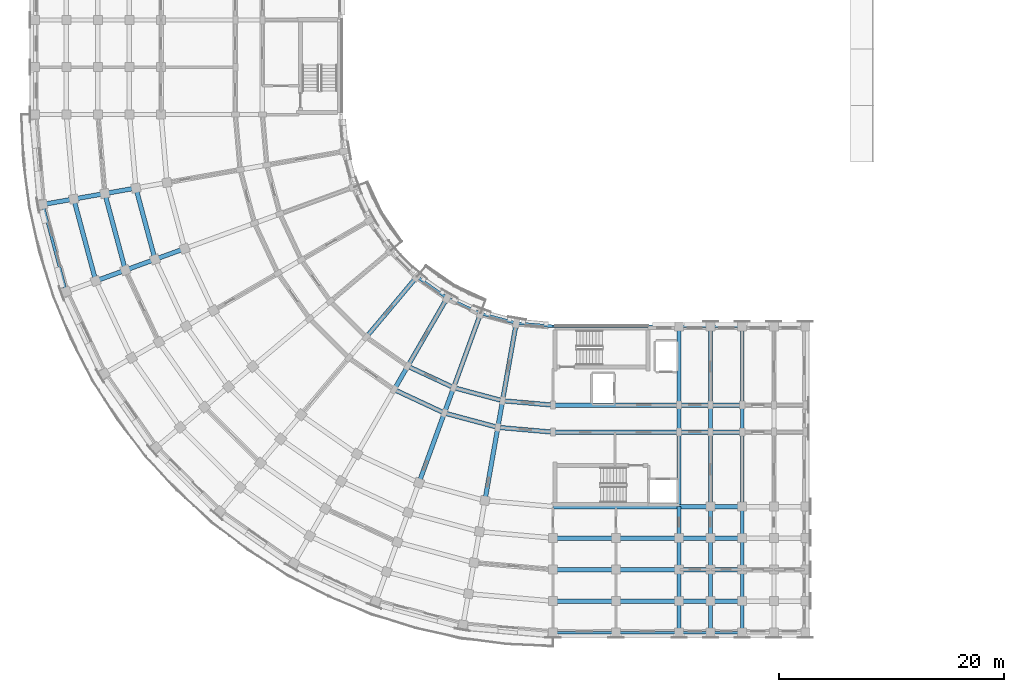
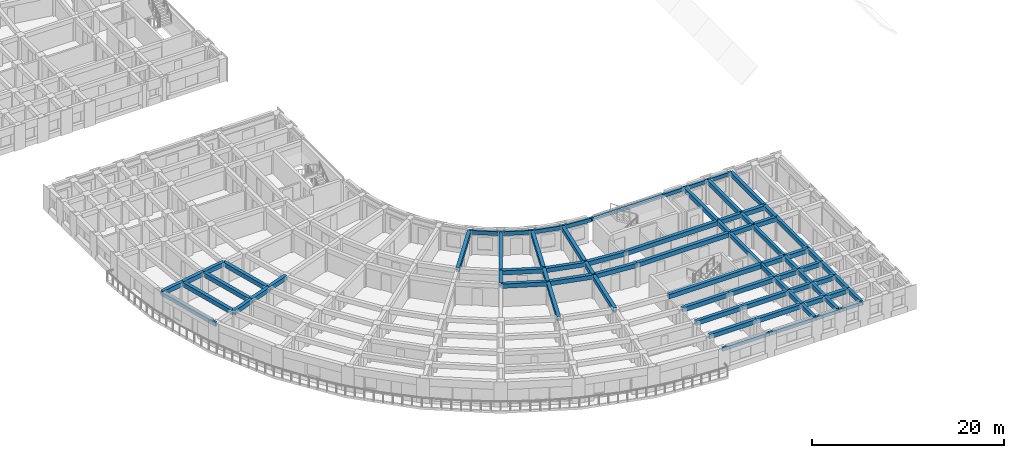
# One storey, part 4 of 54: 78 beams.
"""IFC4 building model written with IfcOpenShell, lengths in metres."""

from ifc_helpers import new_model, si_unit, direction, frame, origin, origin_2d, place, context, subcontext, project, spatial, rectangle, extrude, material, material_profile, profile_set, type_object, element, save


model = new_model("IFC4")

# Units and contexts
model_context = context("Model", 3, precision=1e-05, world=origin(), true_north=direction((0.0, 1.0)))
body_context = subcontext(model_context, "Body", "Model", "MODEL_VIEW")
ifc_project = project(units=[si_unit("LENGTHUNIT", "METRE"), si_unit("AREAUNIT", "SQUARE_METRE"), si_unit("VOLUMEUNIT", "CUBIC_METRE"), si_unit("PLANEANGLEUNIT", "RADIAN"), si_unit("MASSUNIT", "GRAM", prefix="KILO")], contexts=[model_context])

# Site, building, storey
site_placement = place(None, origin())
site = spatial("IfcSite", under=ifc_project, at=site_placement, CompositionType="ELEMENT")
building_placement = place(site_placement, origin())
building = spatial("IfcBuilding", under=site, at=building_placement, Name="Kiranvali Square Residences", CompositionType="ELEMENT")
storey_placement = place(building_placement, frame((0.0, 0.0, 11.85009765625)))
storey = spatial("IfcBuildingStorey", under=building, at=storey_placement, Name="L03", CompositionType="ELEMENT", Elevation=11.85009765625)

# Beams
ifc_material_1 = material(Name="Concrete M40 (40 MPa)", Category="concrete")
ifc_material_profile_1 = material_profile(ifc_material_1, rectangle(XDim=0.35009765625, YDim=0.550048828125, at=origin_2d()), Name="RC 350x550")
ifc_profile_set_1 = profile_set([ifc_material_profile_1], Name="Concrete M40 (40 MPa)")
beam_type_1 = type_object("IfcBeamType", Name="BM-M40-350x550", PredefinedType="BEAM", material=ifc_profile_set_1)
beam_1_placement = place(storey_placement, frame((59.39990234375, 29.39990234375, 2.65478515625), z_axis=(0.0, -1.0, 0.0), x_axis=(1.0, 0.0, 0.0)))
element("IfcBeam", 1, at=beam_1_placement, inside=storey, type_object=beam_type_1, Name="L03 beam BM-C-L03-A1T1-01", PredefinedType="BEAM", context=body_context, shape_type="SweptSolid", body=[
    extrude(rectangle(XDim=0.35009765625, YDim=0.550048828125, at=origin_2d()), origin(), (0.0, 0.0, 1.0), 7.0),
])
beam_2_placement = place(storey_placement, frame((59.39990234375, 22.39990234375, 2.65478515625), z_axis=(0.0, -1.0, 0.0), x_axis=(1.0, 0.0, 0.0)))
element("IfcBeam", 2, at=beam_2_placement, inside=storey, type_object=beam_type_1, Name="L03 beam BM-C-L03-A1T1-12", PredefinedType="BEAM", context=body_context, shape_type="SweptSolid", body=[
    extrude(rectangle(XDim=0.35009765625, YDim=0.550048828125, at=origin_2d()), origin(), (0.0, 0.0, 1.0), 2.39990234375),
])
beam_3_placement = place(storey_placement, frame((59.39990234375, 20.0, 2.65478515625), z_axis=(0.0, -1.0, 0.0), x_axis=(1.0, 0.0, 0.0)))
element("IfcBeam", 3, at=beam_3_placement, inside=storey, type_object=beam_type_1, Name="L03 beam BM-C-L03-A1T1-23", PredefinedType="BEAM", context=body_context, shape_type="SweptSolid", body=[
    extrude(rectangle(XDim=0.35009765625, YDim=0.550048828125, at=origin_2d()), origin(), (0.0, 0.0, 1.0), 6.60009765625),
])
beam_4_placement = place(storey_placement, frame((59.39990234375, 13.39990234375, 2.65478515625), z_axis=(0.0, -1.0, 0.0), x_axis=(1.0, 0.0, 0.0)))
element("IfcBeam", 4, at=beam_4_placement, inside=storey, type_object=beam_type_1, Name="L03 beam BM-C-L03-A1T1-34", PredefinedType="BEAM", context=body_context, shape_type="SweptSolid", body=[
    extrude(rectangle(XDim=0.35009765625, YDim=0.550048828125, at=origin_2d()), origin(), (0.0, 0.0, 1.0), 2.7998046875),
])
for number, where, z_axis, x_axis, name in (
    (5, (59.39990234375, 10.60009765625, 2.65478515625), (0.0, -1.0, 0.0), (1.0, 0.0, 0.0), "L03 beam BM-C-L03-A1T1-45"),
    (6, (59.39990234375, 7.800048828125, 2.65478515625), (0.0, -1.0, 0.0), (1.0, 0.0, 0.0), "L03 beam BM-C-L03-A1T1-56"),
    (7, (59.39990234375, 5.0, 2.65478515625), (0.0, -1.0, 0.0), (1.0, 0.0, 0.0), "L03 beam BM-C-L03-A1T1-67"),
):
    element("IfcBeam", number, at=place(storey_placement, frame(where, z_axis=z_axis, x_axis=x_axis)), inside=storey, type_object=beam_type_1, Name=name, PredefinedType="BEAM", context=body_context, shape_type="SweptSolid", body=[
        extrude(rectangle(XDim=0.35009765625, YDim=0.550048828125, at=origin_2d()), origin(), (0.0, 0.0, 1.0), 2.800048828125),
    ])
beam_5_placement = place(storey_placement, frame((62.199951171875, 29.39990234375, 2.65478515625), z_axis=(0.0, -1.0, 0.0), x_axis=(1.0, 0.0, 0.0)))
element("IfcBeam", 8, at=beam_5_placement, inside=storey, type_object=beam_type_1, Name="L03 beam BM-C-L03-A1T2-01", PredefinedType="BEAM", context=body_context, shape_type="SweptSolid", body=[
    extrude(rectangle(XDim=0.35009765625, YDim=0.550048828125, at=origin_2d()), origin(), (0.0, 0.0, 1.0), 7.0),
])
beam_6_placement = place(storey_placement, frame((62.199951171875, 22.39990234375, 2.65478515625), z_axis=(0.0, -1.0, 0.0), x_axis=(1.0, 0.0, 0.0)))
element("IfcBeam", 9, at=beam_6_placement, inside=storey, type_object=beam_type_1, Name="L03 beam BM-C-L03-A1T2-12", PredefinedType="BEAM", context=body_context, shape_type="SweptSolid", body=[
    extrude(rectangle(XDim=0.35009765625, YDim=0.550048828125, at=origin_2d()), origin(), (0.0, 0.0, 1.0), 2.39990234375),
])
beam_7_placement = place(storey_placement, frame((62.199951171875, 20.0, 2.65478515625), z_axis=(0.0, -1.0, 0.0), x_axis=(1.0, 0.0, 0.0)))
element("IfcBeam", 10, at=beam_7_placement, inside=storey, type_object=beam_type_1, Name="L03 beam BM-C-L03-A1T2-23", PredefinedType="BEAM", context=body_context, shape_type="SweptSolid", body=[
    extrude(rectangle(XDim=0.35009765625, YDim=0.550048828125, at=origin_2d()), origin(), (0.0, 0.0, 1.0), 6.60009765625),
])
beam_8_placement = place(storey_placement, frame((62.199951171875, 13.39990234375, 2.65478515625), z_axis=(0.0, -1.0, 0.0), x_axis=(1.0, 0.0, 0.0)))
element("IfcBeam", 11, at=beam_8_placement, inside=storey, type_object=beam_type_1, Name="L03 beam BM-C-L03-A1T2-34", PredefinedType="BEAM", context=body_context, shape_type="SweptSolid", body=[
    extrude(rectangle(XDim=0.35009765625, YDim=0.550048828125, at=origin_2d()), origin(), (0.0, 0.0, 1.0), 2.7998046875),
])
for number, where, z_axis, x_axis, name in (
    (12, (62.199951171875, 10.60009765625, 2.65478515625), (0.0, -1.0, 0.0), (1.0, 0.0, 0.0), "L03 beam BM-C-L03-A1T2-45"),
    (13, (62.199951171875, 7.800048828125, 2.65478515625), (0.0, -1.0, 0.0), (1.0, 0.0, 0.0), "L03 beam BM-C-L03-A1T2-56"),
    (14, (62.199951171875, 5.0, 2.65478515625), (0.0, -1.0, 0.0), (1.0, 0.0, 0.0), "L03 beam BM-C-L03-A1T2-67"),
):
    element("IfcBeam", number, at=place(storey_placement, frame(where, z_axis=z_axis, x_axis=x_axis)), inside=storey, type_object=beam_type_1, Name=name, PredefinedType="BEAM", context=body_context, shape_type="SweptSolid", body=[
        extrude(rectangle(XDim=0.35009765625, YDim=0.550048828125, at=origin_2d()), origin(), (0.0, 0.0, 1.0), 2.800048828125),
    ])
beam_9_placement = place(storey_placement, frame((65.0, 29.39990234375, 2.65478515625), z_axis=(0.0, -1.0, 0.0), x_axis=(1.0, 0.0, 0.0)))
element("IfcBeam", 15, at=beam_9_placement, inside=storey, type_object=beam_type_1, Name="L03 beam BM-C-L03-A1T3-01", PredefinedType="BEAM", context=body_context, shape_type="SweptSolid", body=[
    extrude(rectangle(XDim=0.35009765625, YDim=0.550048828125, at=origin_2d()), origin(), (0.0, 0.0, 1.0), 7.0),
])
beam_10_placement = place(storey_placement, frame((65.0, 22.39990234375, 2.65478515625), z_axis=(0.0, -1.0, 0.0), x_axis=(1.0, 0.0, 0.0)))
element("IfcBeam", 16, at=beam_10_placement, inside=storey, type_object=beam_type_1, Name="L03 beam BM-C-L03-A1T3-12", PredefinedType="BEAM", context=body_context, shape_type="SweptSolid", body=[
    extrude(rectangle(XDim=0.35009765625, YDim=0.550048828125, at=origin_2d()), origin(), (0.0, 0.0, 1.0), 2.39990234375),
])
beam_11_placement = place(storey_placement, frame((65.0, 20.0, 2.65478515625), z_axis=(0.0, -1.0, 0.0), x_axis=(1.0, 0.0, 0.0)))
element("IfcBeam", 17, at=beam_11_placement, inside=storey, type_object=beam_type_1, Name="L03 beam BM-C-L03-A1T3-23", PredefinedType="BEAM", context=body_context, shape_type="SweptSolid", body=[
    extrude(rectangle(XDim=0.35009765625, YDim=0.550048828125, at=origin_2d()), origin(), (0.0, 0.0, 1.0), 6.60009765625),
])
beam_12_placement = place(storey_placement, frame((65.0, 13.39990234375, 2.65478515625), z_axis=(0.0, -1.0, 0.0), x_axis=(1.0, 0.0, 0.0)))
element("IfcBeam", 18, at=beam_12_placement, inside=storey, type_object=beam_type_1, Name="L03 beam BM-C-L03-A1T3-34", PredefinedType="BEAM", context=body_context, shape_type="SweptSolid", body=[
    extrude(rectangle(XDim=0.35009765625, YDim=0.550048828125, at=origin_2d()), origin(), (0.0, 0.0, 1.0), 2.7998046875),
])
for number, where, z_axis, x_axis, name in (
    (19, (65.0, 10.60009765625, 2.65478515625), (0.0, -1.0, 0.0), (1.0, 0.0, 0.0), "L03 beam BM-C-L03-A1T3-45"),
    (20, (65.0, 7.800048828125, 2.65478515625), (0.0, -1.0, 0.0), (1.0, 0.0, 0.0), "L03 beam BM-C-L03-A1T3-56"),
    (21, (65.0, 5.0, 2.65478515625), (0.0, -1.0, 0.0), (1.0, 0.0, 0.0), "L03 beam BM-C-L03-A1T3-67"),
):
    element("IfcBeam", number, at=place(storey_placement, frame(where, z_axis=z_axis, x_axis=x_axis)), inside=storey, type_object=beam_type_1, Name=name, PredefinedType="BEAM", context=body_context, shape_type="SweptSolid", body=[
        extrude(rectangle(XDim=0.35009765625, YDim=0.550048828125, at=origin_2d()), origin(), (0.0, 0.0, 1.0), 2.800048828125),
    ])
ifc_material_2 = material(Name="Concrete M45 (45 MPa)", Category="concrete")
ifc_material_profile_2 = material_profile(ifc_material_2, rectangle(XDim=0.39990234375, YDim=0.550048828125, at=origin_2d()), Name="RC 400x550")
ifc_profile_set_2 = profile_set([ifc_material_profile_2], Name="Concrete M45 (45 MPa)")
beam_type_2 = type_object("IfcBeamType", Name="BM-M45-400x550", PredefinedType="BEAM", material=ifc_profile_set_2)
beam_13_placement = place(storey_placement, frame((48.199951171875, 22.39990234375, 2.65478515625), z_axis=(-0.996191949488, 0.087187153726, 0.0), x_axis=(-0.087187153726, -0.996191949488, 0.0)))
element("IfcBeam", 22, at=beam_13_placement, inside=storey, type_object=beam_type_2, Name="L03 beam BM-C-L03-C00-R1", PredefinedType="BEAM", context=body_context, shape_type="SweptSolid", body=[
    extrude(rectangle(XDim=0.39990234375, YDim=0.550048828125, at=origin_2d()), origin(), (0.0, 0.0, 1.0), 4.4970703125),
])
beam_14_placement = place(storey_placement, frame((48.199951171875, 20.0, 2.65478515625), z_axis=(-0.996193663584, 0.087167566415, 0.0), x_axis=(-0.087167566415, -0.996193663584, 0.0)))
element("IfcBeam", 23, at=beam_14_placement, inside=storey, type_object=beam_type_2, Name="L03 beam BM-C-L03-C00-R2", PredefinedType="BEAM", context=body_context, shape_type="SweptSolid", body=[
    extrude(rectangle(XDim=0.39990234375, YDim=0.550048828125, at=origin_2d()), origin(), (0.0, 0.0, 1.0), 4.91552734375),
])
beam_15_placement = place(storey_placement, frame((43.719970703125, 22.7919921875, 2.65478515625), z_axis=(-0.965934240054, 0.258787642463, 0.0), x_axis=(-0.258787642463, -0.965934240054, 0.0)))
element("IfcBeam", 24, at=beam_15_placement, inside=storey, type_object=beam_type_2, Name="L03 beam BM-C-L03-C01-R1", PredefinedType="BEAM", context=body_context, shape_type="SweptSolid", body=[
    extrude(rectangle(XDim=0.39990234375, YDim=0.550048828125, at=origin_2d()), origin(), (0.0, 0.0, 1.0), 4.497314453125),
])
beam_16_placement = place(storey_placement, frame((43.30322265625, 20.428466796875, 2.65478515625), z_axis=(-0.965930095386, 0.258803112091, 0.0), x_axis=(-0.258803112091, -0.965930095386, 0.0)))
element("IfcBeam", 25, at=beam_16_placement, inside=storey, type_object=beam_type_2, Name="L03 beam BM-C-L03-C01-R2", PredefinedType="BEAM", context=body_context, shape_type="SweptSolid", body=[
    extrude(rectangle(XDim=0.39990234375, YDim=0.550048828125, at=origin_2d()), origin(), (0.0, 0.0, 1.0), 4.915771484375),
])
beam_17_placement = place(storey_placement, frame((39.3759765625, 23.955810546875, 2.65478515625), z_axis=(-0.906307919131, 0.422617978463, 0.0), x_axis=(-0.422617978463, -0.906307919131, 0.0)))
element("IfcBeam", 26, at=beam_17_placement, inside=storey, type_object=beam_type_2, Name="L03 beam BM-C-L03-C02-R1", PredefinedType="BEAM", context=body_context, shape_type="SweptSolid", body=[
    extrude(rectangle(XDim=0.39990234375, YDim=0.550048828125, at=origin_2d()), origin(), (0.0, 0.0, 1.0), 4.497314453125),
])
beam_18_placement = place(storey_placement, frame((38.554931640625, 21.70068359375, 2.65478515625), z_axis=(-0.906302381024, 0.422629854778, 0.0), x_axis=(-0.422629854778, -0.906302381024, 0.0)))
element("IfcBeam", 27, at=beam_18_placement, inside=storey, type_object=beam_type_2, Name="L03 beam BM-C-L03-C02-R2", PredefinedType="BEAM", context=body_context, shape_type="SweptSolid", body=[
    extrude(rectangle(XDim=0.39990234375, YDim=0.550048828125, at=origin_2d()), origin(), (0.0, 0.0, 1.0), 4.915283203125),
])
beam_19_placement = place(storey_placement, frame((12.86767578125, 35.340087890625, 2.65478515625), z_axis=(-0.258847178297, 0.965918287583, 0.0), x_axis=(-0.965918287583, -0.258847178297, 0.0)))
element("IfcBeam", 28, at=beam_19_placement, inside=storey, type_object=beam_type_2, Name="L03 beam BM-C-L03-C07-R4", PredefinedType="BEAM", context=body_context, shape_type="SweptSolid", body=[
    extrude(rectangle(XDim=0.39990234375, YDim=0.550048828125, at=origin_2d()), origin(), (0.0, 0.0, 1.0), 6.55419921875),
])
beam_20_placement = place(storey_placement, frame((10.236328125, 34.38232421875, 2.65478515625), z_axis=(-0.258799624492, 0.965931029817, 0.0), x_axis=(-0.965931029817, -0.258799624492, 0.0)))
element("IfcBeam", 29, at=beam_20_placement, inside=storey, type_object=beam_type_2, Name="L03 beam BM-C-L03-C07-R5", PredefinedType="BEAM", context=body_context, shape_type="SweptSolid", body=[
    extrude(rectangle(XDim=0.39990234375, YDim=0.550048828125, at=origin_2d()), origin(), (0.0, 0.0, 1.0), 7.042236328125),
])
beam_21_placement = place(storey_placement, frame((7.605224609375, 33.4248046875, 2.65478515625), z_axis=(-0.258818733833, 0.965925909693, 0.0), x_axis=(-0.965925909693, -0.258818733833, 0.0)))
element("IfcBeam", 30, at=beam_21_placement, inside=storey, type_object=beam_type_2, Name="L03 beam BM-C-L03-C07-R6", PredefinedType="BEAM", context=body_context, shape_type="SweptSolid", body=[
    extrude(rectangle(XDim=0.39990234375, YDim=0.550048828125, at=origin_2d()), origin(), (0.0, 0.0, 1.0), 7.5302734375),
])
beam_22_placement = place(storey_placement, frame((44.935302734375, 29.685546875, 2.65478515625), z_axis=(-0.173622177865, -0.984812337125, 0.0), x_axis=(0.984812337125, -0.173622177865, 0.0)))
element("IfcBeam", 31, at=beam_22_placement, inside=storey, type_object=beam_type_2, Name="L03 beam BM-C-L03-RAD01-01", PredefinedType="BEAM", context=body_context, shape_type="SweptSolid", body=[
    extrude(rectangle(XDim=0.39990234375, YDim=0.550048828125, at=origin_2d()), origin(), (0.0, 0.0, 1.0), 6.999755859375),
])
beam_23_placement = place(storey_placement, frame((43.719970703125, 22.7919921875, 2.65478515625), z_axis=(-0.173646056486, -0.984808127031, 0.0), x_axis=(0.984808127031, -0.173646056486, 0.0)))
element("IfcBeam", 32, at=beam_23_placement, inside=storey, type_object=beam_type_2, Name="L03 beam BM-C-L03-RAD01-12", PredefinedType="BEAM", context=body_context, shape_type="SweptSolid", body=[
    extrude(rectangle(XDim=0.39990234375, YDim=0.550048828125, at=origin_2d()), origin(), (0.0, 0.0, 1.0), 2.39990234375),
])
beam_24_placement = place(storey_placement, frame((43.30322265625, 20.428466796875, 2.65478515625), z_axis=(-0.173671381499, -0.984803661269, 0.0), x_axis=(0.984803661269, -0.173671381499, 0.0)))
element("IfcBeam", 33, at=beam_24_placement, inside=storey, type_object=beam_type_2, Name="L03 beam BM-C-L03-RAD01-23", PredefinedType="BEAM", context=body_context, shape_type="SweptSolid", body=[
    extrude(rectangle(XDim=0.39990234375, YDim=0.550048828125, at=origin_2d()), origin(), (0.0, 0.0, 1.0), 6.60009765625),
])
beam_25_placement = place(storey_placement, frame((41.77001953125, 30.53369140625, 2.65478515625), z_axis=(-0.342006283793, -0.939697665127, 0.0), x_axis=(0.939697665127, -0.342006283793, 0.0)))
element("IfcBeam", 34, at=beam_25_placement, inside=storey, type_object=beam_type_2, Name="L03 beam BM-C-L03-RAD02-01", PredefinedType="BEAM", context=body_context, shape_type="SweptSolid", body=[
    extrude(rectangle(XDim=0.39990234375, YDim=0.550048828125, at=origin_2d()), origin(), (0.0, 0.0, 1.0), 7.0),
])
beam_26_placement = place(storey_placement, frame((39.3759765625, 23.955810546875, 2.65478515625), z_axis=(-0.342110593602, -0.939659694648, 0.0), x_axis=(0.939659694648, -0.342110593602, 0.0)))
element("IfcBeam", 35, at=beam_26_placement, inside=storey, type_object=beam_type_2, Name="L03 beam BM-C-L03-RAD02-12", PredefinedType="BEAM", context=body_context, shape_type="SweptSolid", body=[
    extrude(rectangle(XDim=0.39990234375, YDim=0.550048828125, at=origin_2d()), origin(), (0.0, 0.0, 1.0), 2.39990234375),
])
beam_27_placement = place(storey_placement, frame((38.554931640625, 21.70068359375, 2.65478515625), z_axis=(-0.342022238372, -0.939691858249, 0.0), x_axis=(0.939691858249, -0.342022238372, 0.0)))
element("IfcBeam", 36, at=beam_27_placement, inside=storey, type_object=beam_type_2, Name="L03 beam BM-C-L03-RAD02-23", PredefinedType="BEAM", context=body_context, shape_type="SweptSolid", body=[
    extrude(rectangle(XDim=0.39990234375, YDim=0.550048828125, at=origin_2d()), origin(), (0.0, 0.0, 1.0), 6.599853515625),
])
beam_28_placement = place(storey_placement, frame((38.800048828125, 31.918701171875, 2.65478515625), z_axis=(-0.499995173006, -0.866028190633, 0.0), x_axis=(0.866028190633, -0.499995173006, 0.0)))
element("IfcBeam", 37, at=beam_28_placement, inside=storey, type_object=beam_type_2, Name="L03 beam BM-C-L03-RAD03-01", PredefinedType="BEAM", context=body_context, shape_type="SweptSolid", body=[
    extrude(rectangle(XDim=0.39990234375, YDim=0.550048828125, at=origin_2d()), origin(), (0.0, 0.0, 1.0), 7.0),
])
beam_29_placement = place(storey_placement, frame((35.300048828125, 25.8564453125, 2.65478515625), z_axis=(-0.500001309137, -0.866024647952, 0.0), x_axis=(0.866024647952, -0.500001309137, 0.0)))
element("IfcBeam", 38, at=beam_29_placement, inside=storey, type_object=beam_type_2, Name="L03 beam BM-C-L03-RAD03-12", PredefinedType="BEAM", context=body_context, shape_type="SweptSolid", body=[
    extrude(rectangle(XDim=0.39990234375, YDim=0.550048828125, at=origin_2d()), origin(), (0.0, 0.0, 1.0), 2.39990234375),
])
beam_30_placement = place(storey_placement, frame((36.115478515625, 33.79833984375, 2.65478515625), z_axis=(-0.642787931032, -0.766044173478, 0.0), x_axis=(0.766044173478, -0.642787931032, 0.0)))
element("IfcBeam", 39, at=beam_30_placement, inside=storey, type_object=beam_type_2, Name="L03 beam BM-C-L03-RAD04-01", PredefinedType="BEAM", context=body_context, shape_type="SweptSolid", body=[
    extrude(rectangle(XDim=0.39990234375, YDim=0.550048828125, at=origin_2d()), origin(), (0.0, 0.0, 1.0), 7.0),
])
beam_31_placement = place(storey_placement, frame((15.498779296875, 36.297607421875, 2.65478515625), z_axis=(-0.93970683422, -0.341981089711, 0.0), x_axis=(0.341981089711, -0.93970683422, 0.0)))
element("IfcBeam", 40, at=beam_31_placement, inside=storey, type_object=beam_type_2, Name="L03 beam BM-C-L03-RAD07-34", PredefinedType="BEAM", context=body_context, shape_type="SweptSolid", body=[
    extrude(rectangle(XDim=0.39990234375, YDim=0.550048828125, at=origin_2d()), origin(), (0.0, 0.0, 1.0), 2.7998046875),
])
beam_32_placement = place(storey_placement, frame((12.86767578125, 35.340087890625, 2.65478515625), z_axis=(-0.939689011208, -0.342030060398, 0.0), x_axis=(0.342030060398, -0.939689011208, 0.0)))
element("IfcBeam", 41, at=beam_32_placement, inside=storey, type_object=beam_type_2, Name="L03 beam BM-C-L03-RAD07-45", PredefinedType="BEAM", context=body_context, shape_type="SweptSolid", body=[
    extrude(rectangle(XDim=0.39990234375, YDim=0.550048828125, at=origin_2d()), origin(), (0.0, 0.0, 1.0), 2.80029296875),
])
for number, where, z_axis, x_axis, name in (
    (42, (10.236328125, 34.38232421875, 2.65478515625), (-0.93970683422, -0.341981089711, 0.0), (0.341981089711, -0.93970683422, 0.0), "L03 beam BM-C-L03-RAD07-56"),
    (43, (11.171142578125, 41.6708984375, 2.65478515625), (-0.984799355489, -0.173695795656, 0.0), (0.173695795656, -0.984799355489, 0.0), "L03 beam BM-C-L03-RAD08-45"),
):
    element("IfcBeam", number, at=place(storey_placement, frame(where, z_axis=z_axis, x_axis=x_axis)), inside=storey, type_object=beam_type_2, Name=name, PredefinedType="BEAM", context=body_context, shape_type="SweptSolid", body=[
        extrude(rectangle(XDim=0.39990234375, YDim=0.550048828125, at=origin_2d()), origin(), (0.0, 0.0, 1.0), 2.7998046875),
    ])
beam_33_placement = place(storey_placement, frame((8.413818359375, 41.1845703125, 2.65478515625), z_axis=(-0.984816895441, -0.173596320392, 0.0), x_axis=(0.173596320392, -0.984816895441, 0.0)))
element("IfcBeam", 44, at=beam_33_placement, inside=storey, type_object=beam_type_2, Name="L03 beam BM-C-L03-RAD08-56", PredefinedType="BEAM", context=body_context, shape_type="SweptSolid", body=[
    extrude(rectangle(XDim=0.39990234375, YDim=0.550048828125, at=origin_2d()), origin(), (0.0, 0.0, 1.0), 2.800048828125),
])
beam_34_placement = place(storey_placement, frame((5.65625, 40.698486328125, 2.65478515625), z_axis=(-0.984799355489, -0.173695795656, 0.0), x_axis=(0.173695795656, -0.984799355489, 0.0)))
element("IfcBeam", 45, at=beam_34_placement, inside=storey, type_object=beam_type_2, Name="L03 beam BM-C-L03-RAD08-67", PredefinedType="BEAM", context=body_context, shape_type="SweptSolid", body=[
    extrude(rectangle(XDim=0.39990234375, YDim=0.550048828125, at=origin_2d()), origin(), (0.0, 0.0, 1.0), 2.7998046875),
])
beam_35_placement = place(storey_placement, frame((48.199951171875, 22.39990234375, 2.65478515625), z_axis=(1.0, 0.0, 0.0), x_axis=(0.0, 1.0, 0.0)))
element("IfcBeam", 46, at=beam_35_placement, inside=storey, type_object=beam_type_2, Name="L03 beam BM-C-L03-A1U0-R1", PredefinedType="BEAM", context=body_context, shape_type="SweptSolid", body=[
    extrude(rectangle(XDim=0.39990234375, YDim=0.550048828125, at=origin_2d()), origin(), (0.0, 0.0, 1.0), 11.199951171875),
])
for number, where, z_axis, x_axis, name in (
    (47, (59.39990234375, 22.39990234375, 2.65478515625), (1.0, 0.0, 0.0), (0.0, 1.0, 0.0), "L03 beam BM-C-L03-A1U1-R1"),
    (48, (62.199951171875, 22.39990234375, 2.65478515625), (1.0, 0.0, 0.0), (0.0, 1.0, 0.0), "L03 beam BM-C-L03-A1U2-R1"),
):
    element("IfcBeam", number, at=place(storey_placement, frame(where, z_axis=z_axis, x_axis=x_axis)), inside=storey, type_object=beam_type_2, Name=name, PredefinedType="BEAM", context=body_context, shape_type="SweptSolid", body=[
        extrude(rectangle(XDim=0.39990234375, YDim=0.550048828125, at=origin_2d()), origin(), (0.0, 0.0, 1.0), 2.800048828125),
    ])
beam_36_placement = place(storey_placement, frame((48.199951171875, 20.0, 2.65478515625), z_axis=(1.0, 0.0, 0.0), x_axis=(0.0, 1.0, 0.0)))
element("IfcBeam", 49, at=beam_36_placement, inside=storey, type_object=beam_type_2, Name="L03 beam BM-C-L03-A1U0-R2", PredefinedType="BEAM", context=body_context, shape_type="SweptSolid", body=[
    extrude(rectangle(XDim=0.39990234375, YDim=0.550048828125, at=origin_2d()), origin(), (0.0, 0.0, 1.0), 11.199951171875),
])
for number, where, z_axis, x_axis, name in (
    (50, (59.39990234375, 20.0, 2.65478515625), (1.0, 0.0, 0.0), (0.0, 1.0, 0.0), "L03 beam BM-C-L03-A1U1-R2"),
    (51, (62.199951171875, 20.0, 2.65478515625), (1.0, 0.0, 0.0), (0.0, 1.0, 0.0), "L03 beam BM-C-L03-A1U2-R2"),
):
    element("IfcBeam", number, at=place(storey_placement, frame(where, z_axis=z_axis, x_axis=x_axis)), inside=storey, type_object=beam_type_2, Name=name, PredefinedType="BEAM", context=body_context, shape_type="SweptSolid", body=[
        extrude(rectangle(XDim=0.39990234375, YDim=0.550048828125, at=origin_2d()), origin(), (0.0, 0.0, 1.0), 2.800048828125),
    ])
beam_37_placement = place(storey_placement, frame((48.199951171875, 13.39990234375, 2.65478515625), z_axis=(1.0, 0.0, 0.0), x_axis=(0.0, 1.0, 0.0)))
element("IfcBeam", 52, at=beam_37_placement, inside=storey, type_object=beam_type_2, Name="L03 beam BM-C-L03-A1U0-R3", PredefinedType="BEAM", context=body_context, shape_type="SweptSolid", body=[
    extrude(rectangle(XDim=0.39990234375, YDim=0.550048828125, at=origin_2d()), origin(), (0.0, 0.0, 1.0), 11.199951171875),
])
for number, where, z_axis, x_axis, name in (
    (53, (59.39990234375, 13.39990234375, 2.65478515625), (1.0, 0.0, 0.0), (0.0, 1.0, 0.0), "L03 beam BM-C-L03-A1U1-R3"),
    (54, (62.199951171875, 13.39990234375, 2.65478515625), (1.0, 0.0, 0.0), (0.0, 1.0, 0.0), "L03 beam BM-C-L03-A1U2-R3"),
):
    element("IfcBeam", number, at=place(storey_placement, frame(where, z_axis=z_axis, x_axis=x_axis)), inside=storey, type_object=beam_type_2, Name=name, PredefinedType="BEAM", context=body_context, shape_type="SweptSolid", body=[
        extrude(rectangle(XDim=0.39990234375, YDim=0.550048828125, at=origin_2d()), origin(), (0.0, 0.0, 1.0), 2.800048828125),
    ])
beam_38_placement = place(storey_placement, frame((48.199951171875, 10.60009765625, 2.65478515625), z_axis=(1.0, 0.0, 0.0), x_axis=(0.0, 1.0, 0.0)))
element("IfcBeam", 55, at=beam_38_placement, inside=storey, type_object=beam_type_2, Name="L03 beam BM-C-L03-A1U0-R4", PredefinedType="BEAM", context=body_context, shape_type="SweptSolid", body=[
    extrude(rectangle(XDim=0.39990234375, YDim=0.550048828125, at=origin_2d()), origin(), (0.0, 0.0, 1.0), 5.60009765625),
])
beam_39_placement = place(storey_placement, frame((53.800048828125, 10.60009765625, 2.65478515625), z_axis=(1.0, 0.0, 0.0), x_axis=(0.0, 1.0, 0.0)))
element("IfcBeam", 56, at=beam_39_placement, inside=storey, type_object=beam_type_2, Name="L03 beam BM-C-L03-A1U1-R4", PredefinedType="BEAM", context=body_context, shape_type="SweptSolid", body=[
    extrude(rectangle(XDim=0.39990234375, YDim=0.550048828125, at=origin_2d()), origin(), (0.0, 0.0, 1.0), 5.599853515625),
])
for number, where, z_axis, x_axis, name in (
    (57, (59.39990234375, 10.60009765625, 2.65478515625), (1.0, 0.0, 0.0), (0.0, 1.0, 0.0), "L03 beam BM-C-L03-A1U2-R4"),
    (58, (62.199951171875, 10.60009765625, 2.65478515625), (1.0, 0.0, 0.0), (0.0, 1.0, 0.0), "L03 beam BM-C-L03-A1U3-R4"),
):
    element("IfcBeam", number, at=place(storey_placement, frame(where, z_axis=z_axis, x_axis=x_axis)), inside=storey, type_object=beam_type_2, Name=name, PredefinedType="BEAM", context=body_context, shape_type="SweptSolid", body=[
        extrude(rectangle(XDim=0.39990234375, YDim=0.550048828125, at=origin_2d()), origin(), (0.0, 0.0, 1.0), 2.800048828125),
    ])
beam_40_placement = place(storey_placement, frame((48.199951171875, 7.800048828125, 2.65478515625), z_axis=(1.0, 0.0, 0.0), x_axis=(0.0, 1.0, 0.0)))
element("IfcBeam", 59, at=beam_40_placement, inside=storey, type_object=beam_type_2, Name="L03 beam BM-C-L03-A1U0-R5", PredefinedType="BEAM", context=body_context, shape_type="SweptSolid", body=[
    extrude(rectangle(XDim=0.39990234375, YDim=0.550048828125, at=origin_2d()), origin(), (0.0, 0.0, 1.0), 5.60009765625),
])
beam_41_placement = place(storey_placement, frame((53.800048828125, 7.800048828125, 2.65478515625), z_axis=(1.0, 0.0, 0.0), x_axis=(0.0, 1.0, 0.0)))
element("IfcBeam", 60, at=beam_41_placement, inside=storey, type_object=beam_type_2, Name="L03 beam BM-C-L03-A1U1-R5", PredefinedType="BEAM", context=body_context, shape_type="SweptSolid", body=[
    extrude(rectangle(XDim=0.39990234375, YDim=0.550048828125, at=origin_2d()), origin(), (0.0, 0.0, 1.0), 5.599853515625),
])
for number, where, z_axis, x_axis, name in (
    (61, (59.39990234375, 7.800048828125, 2.65478515625), (1.0, 0.0, 0.0), (0.0, 1.0, 0.0), "L03 beam BM-C-L03-A1U2-R5"),
    (62, (62.199951171875, 7.800048828125, 2.65478515625), (1.0, 0.0, 0.0), (0.0, 1.0, 0.0), "L03 beam BM-C-L03-A1U3-R5"),
):
    element("IfcBeam", number, at=place(storey_placement, frame(where, z_axis=z_axis, x_axis=x_axis)), inside=storey, type_object=beam_type_2, Name=name, PredefinedType="BEAM", context=body_context, shape_type="SweptSolid", body=[
        extrude(rectangle(XDim=0.39990234375, YDim=0.550048828125, at=origin_2d()), origin(), (0.0, 0.0, 1.0), 2.800048828125),
    ])
beam_42_placement = place(storey_placement, frame((48.199951171875, 5.0, 2.65478515625), z_axis=(1.0, 0.0, 0.0), x_axis=(0.0, 1.0, 0.0)))
element("IfcBeam", 63, at=beam_42_placement, inside=storey, type_object=beam_type_2, Name="L03 beam BM-C-L03-A1U0-R6", PredefinedType="BEAM", context=body_context, shape_type="SweptSolid", body=[
    extrude(rectangle(XDim=0.39990234375, YDim=0.550048828125, at=origin_2d()), origin(), (0.0, 0.0, 1.0), 5.60009765625),
])
beam_43_placement = place(storey_placement, frame((53.800048828125, 5.0, 2.65478515625), z_axis=(1.0, 0.0, 0.0), x_axis=(0.0, 1.0, 0.0)))
element("IfcBeam", 64, at=beam_43_placement, inside=storey, type_object=beam_type_2, Name="L03 beam BM-C-L03-A1U1-R6", PredefinedType="BEAM", context=body_context, shape_type="SweptSolid", body=[
    extrude(rectangle(XDim=0.39990234375, YDim=0.550048828125, at=origin_2d()), origin(), (0.0, 0.0, 1.0), 5.599853515625),
])
for number, where, z_axis, x_axis, name in (
    (65, (59.39990234375, 5.0, 2.65478515625), (1.0, 0.0, 0.0), (0.0, 1.0, 0.0), "L03 beam BM-C-L03-A1U2-R6"),
    (66, (62.199951171875, 5.0, 2.65478515625), (1.0, 0.0, 0.0), (0.0, 1.0, 0.0), "L03 beam BM-C-L03-A1U3-R6"),
):
    element("IfcBeam", number, at=place(storey_placement, frame(where, z_axis=z_axis, x_axis=x_axis)), inside=storey, type_object=beam_type_2, Name=name, PredefinedType="BEAM", context=body_context, shape_type="SweptSolid", body=[
        extrude(rectangle(XDim=0.39990234375, YDim=0.550048828125, at=origin_2d()), origin(), (0.0, 0.0, 1.0), 2.800048828125),
    ])
ifc_material_profile_3 = material_profile(ifc_material_1, rectangle(XDim=0.25, YDim=0.449951171875, at=origin_2d()), Name="RC 250x450")
ifc_profile_set_3 = profile_set([ifc_material_profile_3], Name="Concrete M40 (40 MPa)")
beam_type_3 = type_object("IfcBeamType", Name="SPN-M40-250x450", PredefinedType="SPANDREL", material=ifc_profile_set_3)
beam_44_placement = place(storey_placement, frame((48.199951171875, 29.39990234375, 2.704833984375), z_axis=(1.0, 0.0, 0.0), x_axis=(0.0, 1.0, 0.0)))
element("IfcBeam", 67, at=beam_44_placement, inside=storey, type_object=beam_type_3, Name="L03 beam BM-C-L03-A1U0-R0", PredefinedType="SPANDREL", context=body_context, shape_type="SweptSolid", body=[
    extrude(rectangle(XDim=0.25, YDim=0.449951171875, at=origin_2d()), origin(), (0.0, 0.0, 1.0), 11.199951171875),
])
for number, where, z_axis, x_axis, name in (
    (68, (59.39990234375, 29.39990234375, 2.704833984375), (1.0, 0.0, 0.0), (0.0, 1.0, 0.0), "L03 beam BM-C-L03-A1U1-R0"),
    (69, (62.199951171875, 29.39990234375, 2.704833984375), (1.0, 0.0, 0.0), (0.0, 1.0, 0.0), "L03 beam BM-C-L03-A1U2-R0"),
):
    element("IfcBeam", number, at=place(storey_placement, frame(where, z_axis=z_axis, x_axis=x_axis)), inside=storey, type_object=beam_type_3, Name=name, PredefinedType="SPANDREL", context=body_context, shape_type="SweptSolid", body=[
        extrude(rectangle(XDim=0.25, YDim=0.449951171875, at=origin_2d()), origin(), (0.0, 0.0, 1.0), 2.800048828125),
    ])
beam_45_placement = place(storey_placement, frame((48.199951171875, 2.199951171875, 2.704833984375), z_axis=(1.0, 0.0, 0.0), x_axis=(0.0, 1.0, 0.0)))
element("IfcBeam", 70, at=beam_45_placement, inside=storey, type_object=beam_type_3, Name="L03 beam BM-C-L03-A1U0-R7", PredefinedType="SPANDREL", context=body_context, shape_type="SweptSolid", body=[
    extrude(rectangle(XDim=0.25, YDim=0.449951171875, at=origin_2d()), origin(), (0.0, 0.0, 1.0), 5.60009765625),
])
beam_46_placement = place(storey_placement, frame((53.800048828125, 2.199951171875, 2.704833984375), z_axis=(1.0, 0.0, 0.0), x_axis=(0.0, 1.0, 0.0)))
element("IfcBeam", 71, at=beam_46_placement, inside=storey, type_object=beam_type_3, Name="L03 beam BM-C-L03-A1U1-R7", PredefinedType="SPANDREL", context=body_context, shape_type="SweptSolid", body=[
    extrude(rectangle(XDim=0.25, YDim=0.449951171875, at=origin_2d()), origin(), (0.0, 0.0, 1.0), 5.599853515625),
])
for number, where, z_axis, x_axis, name in (
    (72, (59.39990234375, 2.199951171875, 2.704833984375), (1.0, 0.0, 0.0), (0.0, 1.0, 0.0), "L03 beam BM-C-L03-A1U2-R7"),
    (73, (62.199951171875, 2.199951171875, 2.704833984375), (1.0, 0.0, 0.0), (0.0, 1.0, 0.0), "L03 beam BM-C-L03-A1U3-R7"),
):
    element("IfcBeam", number, at=place(storey_placement, frame(where, z_axis=z_axis, x_axis=x_axis)), inside=storey, type_object=beam_type_3, Name=name, PredefinedType="SPANDREL", context=body_context, shape_type="SweptSolid", body=[
        extrude(rectangle(XDim=0.25, YDim=0.449951171875, at=origin_2d()), origin(), (0.0, 0.0, 1.0), 2.800048828125),
    ])
ifc_material_profile_4 = material_profile(ifc_material_1, rectangle(XDim=0.25, YDim=0.5, at=origin_2d()), Name="RC 250x500")
ifc_profile_set_4 = profile_set([ifc_material_profile_4], Name="Concrete M40 (40 MPa)")
beam_type_4 = type_object("IfcBeamType", Name="SPN-M40-250x500", PredefinedType="SPANDREL", material=ifc_profile_set_4)
beam_47_placement = place(storey_placement, frame((48.199951171875, 29.39990234375, 2.679931640625), z_axis=(-0.996194040944, 0.087163253657, 0.0), x_axis=(-0.087163253657, -0.996194040944, 0.0)))
element("IfcBeam", 74, at=beam_47_placement, inside=storey, type_object=beam_type_4, Name="L03 beam BM-C-L03-C00-R0", PredefinedType="SPANDREL", context=body_context, shape_type="SweptSolid", body=[
    extrude(rectangle(XDim=0.25, YDim=0.5, at=origin_2d()), origin(), (0.0, 0.0, 1.0), 3.277099609375),
])
beam_48_placement = place(storey_placement, frame((44.935302734375, 29.685546875, 2.679931640625), z_axis=(-0.965925105099, 0.258821736607, 0.0), x_axis=(-0.258821736607, -0.965925105099, 0.0)))
element("IfcBeam", 75, at=beam_48_placement, inside=storey, type_object=beam_type_4, Name="L03 beam BM-C-L03-C01-R0", PredefinedType="SPANDREL", context=body_context, shape_type="SweptSolid", body=[
    extrude(rectangle(XDim=0.25, YDim=0.5, at=origin_2d()), origin(), (0.0, 0.0, 1.0), 3.27685546875),
])
for number, where, z_axis, x_axis, name in (
    (76, (41.77001953125, 30.53369140625, 2.679931640625), (-0.90629730464, 0.422640740585, 0.0), (-0.422640740585, -0.90629730464, 0.0), "L03 beam BM-C-L03-C02-R0"),
    (77, (38.800048828125, 31.918701171875, 2.679931640625), (-0.81916891812, 0.573552337269, 0.0), (-0.573552337269, -0.81916891812, 0.0), "L03 beam BM-C-L03-C03-R0"),
):
    element("IfcBeam", number, at=place(storey_placement, frame(where, z_axis=z_axis, x_axis=x_axis)), inside=storey, type_object=beam_type_4, Name=name, PredefinedType="SPANDREL", context=body_context, shape_type="SweptSolid", body=[
        extrude(rectangle(XDim=0.25, YDim=0.5, at=origin_2d()), origin(), (0.0, 0.0, 1.0), 3.277099609375),
    ])
ifc_material_profile_5 = material_profile(ifc_material_1, rectangle(XDim=0.25, YDim=0.550048828125, at=origin_2d()), Name="RC 250x550")
ifc_profile_set_5 = profile_set([ifc_material_profile_5], Name="Concrete M40 (40 MPa)")
beam_type_5 = type_object("IfcBeamType", Name="SPN-M40-250x550", PredefinedType="SPANDREL", material=ifc_profile_set_5)
beam_49_placement = place(storey_placement, frame((4.97412109375, 32.467041015625, 2.65478515625), z_axis=(-0.258807108475, 0.96592902462, 0.0), x_axis=(-0.96592902462, -0.258807108475, 0.0)))
element("IfcBeam", 78, at=beam_49_placement, inside=storey, type_object=beam_type_5, Name="L03 beam BM-C-L03-C07-R7", PredefinedType="SPANDREL", context=body_context, shape_type="SweptSolid", body=[
    extrude(rectangle(XDim=0.25, YDim=0.550048828125, at=origin_2d()), origin(), (0.0, 0.0, 1.0), 8.018310546875),
])

save(model, "model.ifc")
